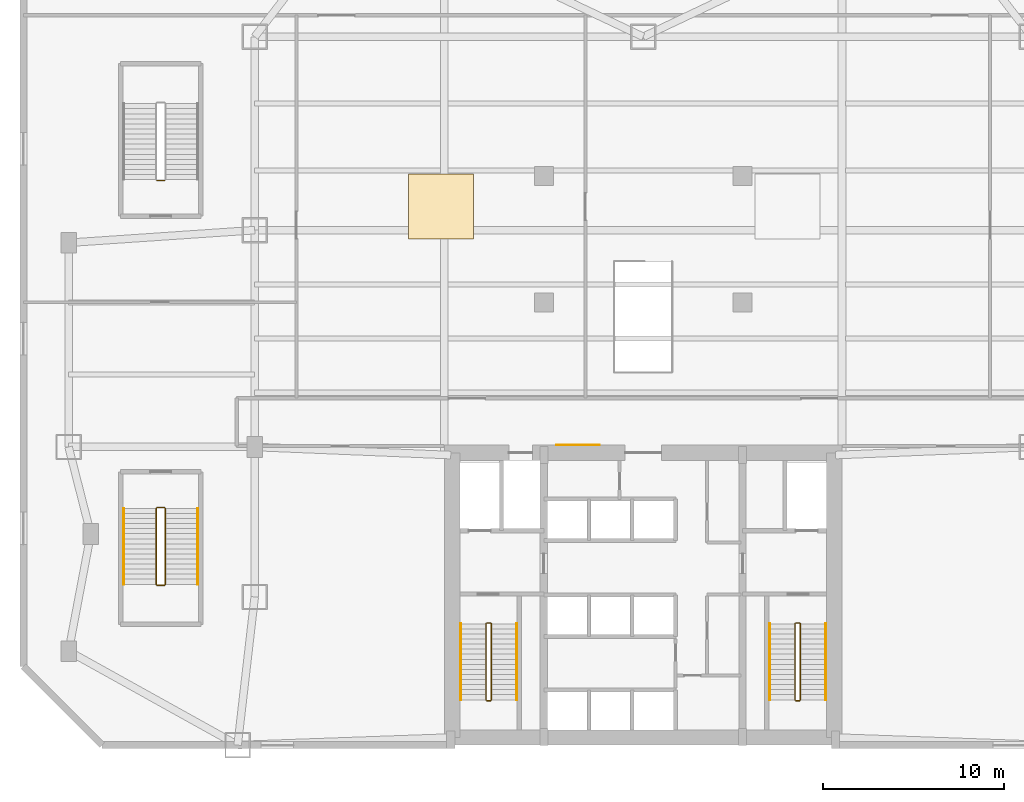
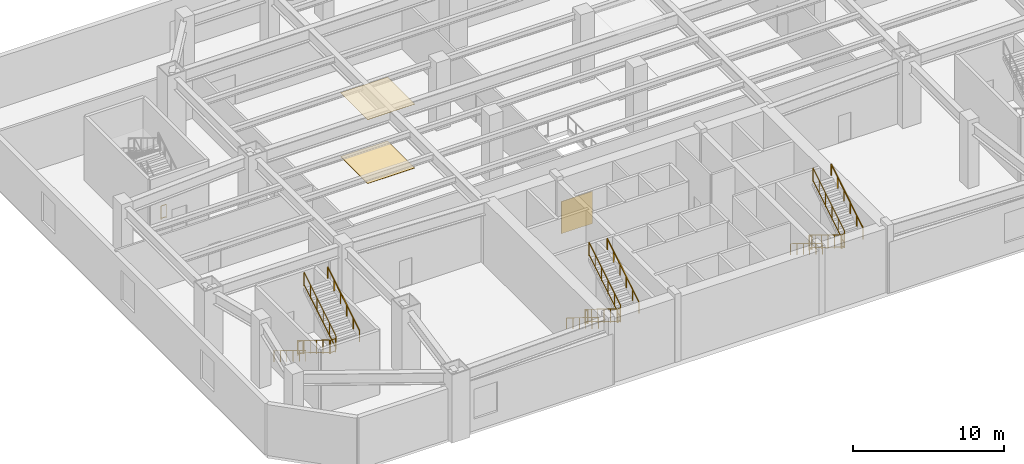
# One storey, part 8 of 10: 19 railings, 3 coverings.
"""IFC4 building model written with IfcOpenShell, lengths in metres."""

from ifc_helpers import new_model, si_unit, direction, frame, origin, origin_2d, place, context, subcontext, project, spatial, rectangle, extrude, source, transform, mapped, material, layer, layer_set, type_object, type_shapes, element, save


model = new_model("IFC4")

# Units and contexts
model_context = context("Model", 3, precision=1e-05, world=origin(), true_north=direction((0.0, 1.0)))
body_context = subcontext(model_context, "Body", "Model", "MODEL_VIEW")
ifc_project = project(units=[si_unit("LENGTHUNIT", "METRE"), si_unit("AREAUNIT", "SQUARE_METRE"), si_unit("VOLUMEUNIT", "CUBIC_METRE"), si_unit("PLANEANGLEUNIT", "RADIAN"), si_unit("MASSUNIT", "GRAM", prefix="KILO")], contexts=[model_context])

# Site, building, storey
site_placement = place(None, origin())
site = spatial("IfcSite", under=ifc_project, at=site_placement, CompositionType="ELEMENT")
building_placement = place(site_placement, origin())
building = spatial("IfcBuilding", under=site, at=building_placement, Name="Varnakhor Terracotta Tower", CompositionType="ELEMENT")
storey_placement = place(building_placement, frame((0.0, 0.0, 5.5)))
storey = spatial("IfcBuildingStorey", under=building, at=storey_placement, Name="L01", CompositionType="ELEMENT", Elevation=5.5)

# Railings
ifc_material_1 = material(Name="Painted Steel Stairwell Guardrail", Category="steel")
railing_type_1 = type_object("IfcRailingType", Name="RLG-STAIR-GUARD-1120", PredefinedType="GUARDRAIL", material=ifc_material_1)
railing_1_placement = place(storey_placement, frame((-8.699951171875, 6.7099609375, 0.171875)))
element("IfcRailing", 1, at=railing_1_placement, inside=storey, type_object=railing_type_1, Name="L01 ST-1 stair guard 1", PredefinedType="GUARDRAIL", context=body_context, shape_type="SweptSolid", body=[
    extrude(rectangle(XDim=0.048095703125, YDim=0.048095703125, at=origin_2d()), frame((0.0, 0.0, 1.09619140625), z_axis=(0.0, -0.852242915053, 0.523146264196), x_axis=(1.0, 0.0, 0.0)), (0.0, 0.0, 1.0), 4.92822265625),
    extrude(rectangle(XDim=0.048095703125, YDim=0.048095703125, at=origin_2d()), frame((0.0, 0.0, 0.10009765625), z_axis=(0.0, -0.852242915053, 0.523146264196), x_axis=(1.0, 0.0, 0.0)), (0.0, 0.0, 1.0), 4.92822265625),
    extrude(rectangle(XDim=0.0419921875, YDim=0.0419921875, at=origin_2d()), origin(), (0.0, 0.0, 1.0), 1.072021484375),
    extrude(rectangle(XDim=0.0419921875, YDim=0.0419921875, at=origin_2d()), frame((0.0, -0.840087890625, 0.515625)), (0.0, 0.0, 1.0), 1.072021484375),
    extrude(rectangle(XDim=0.0419921875, YDim=0.0419921875, at=origin_2d()), frame((0.0, -1.679931640625, 1.03125)), (0.0, 0.0, 1.0), 1.072021484375),
    extrude(rectangle(XDim=0.0419921875, YDim=0.0419921875, at=origin_2d()), frame((0.0, -2.52001953125, 1.546875)), (0.0, 0.0, 1.0), 1.072021484375),
    extrude(rectangle(XDim=0.0419921875, YDim=0.0419921875, at=origin_2d()), frame((0.0, -3.35986328125, 2.0625)), (0.0, 0.0, 1.0), 1.072021484375),
    extrude(rectangle(XDim=0.0419921875, YDim=0.0419921875, at=origin_2d()), frame((0.0, -4.199951171875, 2.578125)), (0.0, 0.0, 1.0), 1.072021484375),
])
railing_2_placement = place(storey_placement, frame((-8.64990234375, 2.4599609375, 2.75)))
element("IfcRailing", 2, at=railing_2_placement, inside=storey, type_object=railing_type_1, Name="L01 ST-1 stair guard 2", PredefinedType="GUARDRAIL", context=body_context, shape_type="SweptSolid", body=[
    extrude(rectangle(XDim=0.048095703125, YDim=0.048095703125, at=origin_2d()), frame((0.0, 0.0, 1.09619140625), z_axis=(1.0, 0.0, 0.0), x_axis=(0.0, 1.0, 0.0)), (0.0, 0.0, 1.0), 0.199951171875),
    extrude(rectangle(XDim=0.048095703125, YDim=0.048095703125, at=origin_2d()), frame((0.0, 0.0, 0.10009765625), z_axis=(1.0, 0.0, 0.0), x_axis=(0.0, 1.0, 0.0)), (0.0, 0.0, 1.0), 0.199951171875),
    extrude(rectangle(XDim=0.0419921875, YDim=0.0419921875, at=origin_2d()), origin(), (0.0, 0.0, 1.0), 1.072021484375),
    extrude(rectangle(XDim=0.0419921875, YDim=0.0419921875, at=origin_2d()), frame((0.199951171875, 0.0, 0.0)), (0.0, 0.0, 1.0), 1.072021484375),
])
railing_3_placement = place(storey_placement, frame((-8.39990234375, 2.510009765625, 2.921875)))
element("IfcRailing", 3, at=railing_3_placement, inside=storey, type_object=railing_type_1, Name="L01 ST-1 stair guard 3", PredefinedType="GUARDRAIL", context=body_context, shape_type="SweptSolid", body=[
    extrude(rectangle(XDim=0.048095703125, YDim=0.048095703125, at=origin_2d()), frame((0.0, 0.0, 1.09619140625), z_axis=(0.0, 0.852242915053, 0.523146264196), x_axis=(-1.0, 0.0, 0.0)), (0.0, 0.0, 1.0), 4.92822265625),
    extrude(rectangle(XDim=0.048095703125, YDim=0.048095703125, at=origin_2d()), frame((0.0, 0.0, 0.10009765625), z_axis=(0.0, 0.852242915053, 0.523146264196), x_axis=(-1.0, 0.0, 0.0)), (0.0, 0.0, 1.0), 4.92822265625),
    extrude(rectangle(XDim=0.0419921875, YDim=0.0419921875, at=origin_2d()), origin(), (0.0, 0.0, 1.0), 1.072021484375),
    extrude(rectangle(XDim=0.0419921875, YDim=0.0419921875, at=origin_2d()), frame((0.0, 0.840087890625, 0.515625)), (0.0, 0.0, 1.0), 1.072021484375),
    extrude(rectangle(XDim=0.0419921875, YDim=0.0419921875, at=origin_2d()), frame((0.0, 1.679931640625, 1.03125)), (0.0, 0.0, 1.0), 1.072021484375),
    extrude(rectangle(XDim=0.0419921875, YDim=0.0419921875, at=origin_2d()), frame((0.0, 2.52001953125, 1.546875)), (0.0, 0.0, 1.0), 1.072021484375),
    extrude(rectangle(XDim=0.0419921875, YDim=0.0419921875, at=origin_2d()), frame((0.0, 3.35986328125, 2.0625)), (0.0, 0.0, 1.0), 1.072021484375),
    extrude(rectangle(XDim=0.0419921875, YDim=0.0419921875, at=origin_2d()), frame((0.0, 4.199951171875, 2.578125)), (0.0, 0.0, 1.0), 1.072021484375),
])
railing_4_placement = place(storey_placement, frame((-8.64990234375, 6.760009765625, 0.0)))
element("IfcRailing", 4, at=railing_4_placement, inside=storey, type_object=railing_type_1, Name="L01 ST-1 stair guard 4", PredefinedType="GUARDRAIL", context=body_context, shape_type="SweptSolid", body=[
    extrude(rectangle(XDim=0.048095703125, YDim=0.048095703125, at=origin_2d()), frame((0.0, 0.0, 1.09619140625), z_axis=(1.0, 0.0, 0.0), x_axis=(0.0, 1.0, 0.0)), (0.0, 0.0, 1.0), 0.199951171875),
    extrude(rectangle(XDim=0.048095703125, YDim=0.048095703125, at=origin_2d()), frame((0.0, 0.0, 0.10009765625), z_axis=(1.0, 0.0, 0.0), x_axis=(0.0, 1.0, 0.0)), (0.0, 0.0, 1.0), 0.199951171875),
    extrude(rectangle(XDim=0.0419921875, YDim=0.0419921875, at=origin_2d()), origin(), (0.0, 0.0, 1.0), 1.072021484375),
    extrude(rectangle(XDim=0.0419921875, YDim=0.0419921875, at=origin_2d()), frame((0.199951171875, 0.0, 0.0)), (0.0, 0.0, 1.0), 1.072021484375),
])
railing_5_placement = place(storey_placement, frame((8.39990234375, 6.7099609375, 0.171875)))
element("IfcRailing", 5, at=railing_5_placement, inside=storey, type_object=railing_type_1, Name="L01 ST-2 stair guard 1", PredefinedType="GUARDRAIL", context=body_context, shape_type="SweptSolid", body=[
    extrude(rectangle(XDim=0.048095703125, YDim=0.048095703125, at=origin_2d()), frame((0.0, 0.0, 1.09619140625), z_axis=(0.0, -0.852242915053, 0.523146264196), x_axis=(1.0, 0.0, 0.0)), (0.0, 0.0, 1.0), 4.92822265625),
    extrude(rectangle(XDim=0.048095703125, YDim=0.048095703125, at=origin_2d()), frame((0.0, 0.0, 0.10009765625), z_axis=(0.0, -0.852242915053, 0.523146264196), x_axis=(1.0, 0.0, 0.0)), (0.0, 0.0, 1.0), 4.92822265625),
    extrude(rectangle(XDim=0.0419921875, YDim=0.0419921875, at=origin_2d()), origin(), (0.0, 0.0, 1.0), 1.072021484375),
    extrude(rectangle(XDim=0.0419921875, YDim=0.0419921875, at=origin_2d()), frame((0.0, -0.840087890625, 0.515625)), (0.0, 0.0, 1.0), 1.072021484375),
    extrude(rectangle(XDim=0.0419921875, YDim=0.0419921875, at=origin_2d()), frame((0.0, -1.679931640625, 1.03125)), (0.0, 0.0, 1.0), 1.072021484375),
    extrude(rectangle(XDim=0.0419921875, YDim=0.0419921875, at=origin_2d()), frame((0.0, -2.52001953125, 1.546875)), (0.0, 0.0, 1.0), 1.072021484375),
    extrude(rectangle(XDim=0.0419921875, YDim=0.0419921875, at=origin_2d()), frame((0.0, -3.35986328125, 2.0625)), (0.0, 0.0, 1.0), 1.072021484375),
    extrude(rectangle(XDim=0.0419921875, YDim=0.0419921875, at=origin_2d()), frame((0.0, -4.199951171875, 2.578125)), (0.0, 0.0, 1.0), 1.072021484375),
])
railing_6_placement = place(storey_placement, frame((8.449951171875, 2.4599609375, 2.75)))
element("IfcRailing", 6, at=railing_6_placement, inside=storey, type_object=railing_type_1, Name="L01 ST-2 stair guard 2", PredefinedType="GUARDRAIL", context=body_context, shape_type="SweptSolid", body=[
    extrude(rectangle(XDim=0.048095703125, YDim=0.048095703125, at=origin_2d()), frame((0.0, 0.0, 1.09619140625), z_axis=(1.0, 0.0, 0.0), x_axis=(0.0, 1.0, 0.0)), (0.0, 0.0, 1.0), 0.199951171875),
    extrude(rectangle(XDim=0.048095703125, YDim=0.048095703125, at=origin_2d()), frame((0.0, 0.0, 0.10009765625), z_axis=(1.0, 0.0, 0.0), x_axis=(0.0, 1.0, 0.0)), (0.0, 0.0, 1.0), 0.199951171875),
    extrude(rectangle(XDim=0.0419921875, YDim=0.0419921875, at=origin_2d()), origin(), (0.0, 0.0, 1.0), 1.072021484375),
    extrude(rectangle(XDim=0.0419921875, YDim=0.0419921875, at=origin_2d()), frame((0.199951171875, 0.0, 0.0)), (0.0, 0.0, 1.0), 1.072021484375),
])
railing_7_placement = place(storey_placement, frame((8.699951171875, 2.510009765625, 2.921875)))
element("IfcRailing", 7, at=railing_7_placement, inside=storey, type_object=railing_type_1, Name="L01 ST-2 stair guard 3", PredefinedType="GUARDRAIL", context=body_context, shape_type="SweptSolid", body=[
    extrude(rectangle(XDim=0.048095703125, YDim=0.048095703125, at=origin_2d()), frame((0.0, 0.0, 1.09619140625), z_axis=(0.0, 0.852242915053, 0.523146264196), x_axis=(-1.0, 0.0, 0.0)), (0.0, 0.0, 1.0), 4.92822265625),
    extrude(rectangle(XDim=0.048095703125, YDim=0.048095703125, at=origin_2d()), frame((0.0, 0.0, 0.10009765625), z_axis=(0.0, 0.852242915053, 0.523146264196), x_axis=(-1.0, 0.0, 0.0)), (0.0, 0.0, 1.0), 4.92822265625),
    extrude(rectangle(XDim=0.0419921875, YDim=0.0419921875, at=origin_2d()), origin(), (0.0, 0.0, 1.0), 1.072021484375),
    extrude(rectangle(XDim=0.0419921875, YDim=0.0419921875, at=origin_2d()), frame((0.0, 0.840087890625, 0.515625)), (0.0, 0.0, 1.0), 1.072021484375),
    extrude(rectangle(XDim=0.0419921875, YDim=0.0419921875, at=origin_2d()), frame((0.0, 1.679931640625, 1.03125)), (0.0, 0.0, 1.0), 1.072021484375),
    extrude(rectangle(XDim=0.0419921875, YDim=0.0419921875, at=origin_2d()), frame((0.0, 2.52001953125, 1.546875)), (0.0, 0.0, 1.0), 1.072021484375),
    extrude(rectangle(XDim=0.0419921875, YDim=0.0419921875, at=origin_2d()), frame((0.0, 3.35986328125, 2.0625)), (0.0, 0.0, 1.0), 1.072021484375),
    extrude(rectangle(XDim=0.0419921875, YDim=0.0419921875, at=origin_2d()), frame((0.0, 4.199951171875, 2.578125)), (0.0, 0.0, 1.0), 1.072021484375),
])
railing_8_placement = place(storey_placement, frame((8.449951171875, 6.760009765625, 0.0)))
element("IfcRailing", 8, at=railing_8_placement, inside=storey, type_object=railing_type_1, Name="L01 ST-2 stair guard 4", PredefinedType="GUARDRAIL", context=body_context, shape_type="SweptSolid", body=[
    extrude(rectangle(XDim=0.048095703125, YDim=0.048095703125, at=origin_2d()), frame((0.0, 0.0, 1.09619140625), z_axis=(1.0, 0.0, 0.0), x_axis=(0.0, 1.0, 0.0)), (0.0, 0.0, 1.0), 0.199951171875),
    extrude(rectangle(XDim=0.048095703125, YDim=0.048095703125, at=origin_2d()), frame((0.0, 0.0, 0.10009765625), z_axis=(1.0, 0.0, 0.0), x_axis=(0.0, 1.0, 0.0)), (0.0, 0.0, 1.0), 0.199951171875),
    extrude(rectangle(XDim=0.0419921875, YDim=0.0419921875, at=origin_2d()), origin(), (0.0, 0.0, 1.0), 1.072021484375),
    extrude(rectangle(XDim=0.0419921875, YDim=0.0419921875, at=origin_2d()), frame((0.199951171875, 0.0, 0.0)), (0.0, 0.0, 1.0), 1.072021484375),
])
railing_9_placement = place(storey_placement, frame((-26.949951171875, 13.10009765625, 0.171875)))
element("IfcRailing", 9, at=railing_9_placement, inside=storey, type_object=railing_type_1, Name="L01 ST-P1 stair guard 1", PredefinedType="GUARDRAIL", context=body_context, shape_type="SweptSolid", body=[
    extrude(rectangle(XDim=0.048095703125, YDim=0.048095703125, at=origin_2d()), frame((0.0, 0.0, 1.09619140625), z_axis=(0.0, -0.852256472501, 0.523124177495), x_axis=(1.0, 0.0, 0.0)), (0.0, 0.0, 1.0), 4.92822265625),
    extrude(rectangle(XDim=0.048095703125, YDim=0.048095703125, at=origin_2d()), frame((0.0, 0.0, 0.10009765625), z_axis=(0.0, -0.852256472501, 0.523124177495), x_axis=(1.0, 0.0, 0.0)), (0.0, 0.0, 1.0), 4.92822265625),
    extrude(rectangle(XDim=0.0419921875, YDim=0.0419921875, at=origin_2d()), origin(), (0.0, 0.0, 1.0), 1.072021484375),
    extrude(rectangle(XDim=0.0419921875, YDim=0.0419921875, at=origin_2d()), frame((0.0, -0.840087890625, 0.515625)), (0.0, 0.0, 1.0), 1.072021484375),
    extrude(rectangle(XDim=0.0419921875, YDim=0.0419921875, at=origin_2d()), frame((0.0, -1.68017578125, 1.03125)), (0.0, 0.0, 1.0), 1.072021484375),
    extrude(rectangle(XDim=0.0419921875, YDim=0.0419921875, at=origin_2d()), frame((0.0, -2.52001953125, 1.546875)), (0.0, 0.0, 1.0), 1.072021484375),
    extrude(rectangle(XDim=0.0419921875, YDim=0.0419921875, at=origin_2d()), frame((0.0, -3.360107421875, 2.0625)), (0.0, 0.0, 1.0), 1.072021484375),
    extrude(rectangle(XDim=0.0419921875, YDim=0.0419921875, at=origin_2d()), frame((0.0, -4.2001953125, 2.578125)), (0.0, 0.0, 1.0), 1.072021484375),
])
railing_10_placement = place(storey_placement, frame((-26.89990234375, 8.85009765625, 2.75)))
element("IfcRailing", 10, at=railing_10_placement, inside=storey, type_object=railing_type_1, Name="L01 ST-P1 stair guard 2", PredefinedType="GUARDRAIL", context=body_context, shape_type="SweptSolid", body=[
    extrude(rectangle(XDim=0.048095703125, YDim=0.048095703125, at=origin_2d()), frame((0.0, 0.0, 1.09619140625), z_axis=(1.0, 0.0, 0.0), x_axis=(0.0, 1.0, 0.0)), (0.0, 0.0, 1.0), 0.39990234375),
    extrude(rectangle(XDim=0.048095703125, YDim=0.048095703125, at=origin_2d()), frame((0.0, 0.0, 0.10009765625), z_axis=(1.0, 0.0, 0.0), x_axis=(0.0, 1.0, 0.0)), (0.0, 0.0, 1.0), 0.39990234375),
    extrude(rectangle(XDim=0.0419921875, YDim=0.0419921875, at=origin_2d()), origin(), (0.0, 0.0, 1.0), 1.072021484375),
    extrude(rectangle(XDim=0.0419921875, YDim=0.0419921875, at=origin_2d()), frame((0.39990234375, 0.0, 0.0)), (0.0, 0.0, 1.0), 1.072021484375),
])
railing_11_placement = place(storey_placement, frame((-26.449951171875, 8.89990234375, 2.921875)))
element("IfcRailing", 11, at=railing_11_placement, inside=storey, type_object=railing_type_1, Name="L01 ST-P1 stair guard 3", PredefinedType="GUARDRAIL", context=body_context, shape_type="SweptSolid", body=[
    extrude(rectangle(XDim=0.048095703125, YDim=0.048095703125, at=origin_2d()), frame((0.0, 0.0, 1.09619140625), z_axis=(0.0, 0.852256472501, 0.523124177495), x_axis=(-1.0, 0.0, 0.0)), (0.0, 0.0, 1.0), 4.92822265625),
    extrude(rectangle(XDim=0.048095703125, YDim=0.048095703125, at=origin_2d()), frame((0.0, 0.0, 0.10009765625), z_axis=(0.0, 0.852256472501, 0.523124177495), x_axis=(-1.0, 0.0, 0.0)), (0.0, 0.0, 1.0), 4.92822265625),
    extrude(rectangle(XDim=0.0419921875, YDim=0.0419921875, at=origin_2d()), origin(), (0.0, 0.0, 1.0), 1.072021484375),
    extrude(rectangle(XDim=0.0419921875, YDim=0.0419921875, at=origin_2d()), frame((0.0, 0.840087890625, 0.515625)), (0.0, 0.0, 1.0), 1.072021484375),
    extrude(rectangle(XDim=0.0419921875, YDim=0.0419921875, at=origin_2d()), frame((0.0, 1.68017578125, 1.03125)), (0.0, 0.0, 1.0), 1.072021484375),
    extrude(rectangle(XDim=0.0419921875, YDim=0.0419921875, at=origin_2d()), frame((0.0, 2.52001953125, 1.546875)), (0.0, 0.0, 1.0), 1.072021484375),
    extrude(rectangle(XDim=0.0419921875, YDim=0.0419921875, at=origin_2d()), frame((0.0, 3.360107421875, 2.0625)), (0.0, 0.0, 1.0), 1.072021484375),
    extrude(rectangle(XDim=0.0419921875, YDim=0.0419921875, at=origin_2d()), frame((0.0, 4.2001953125, 2.578125)), (0.0, 0.0, 1.0), 1.072021484375),
])
railing_12_placement = place(storey_placement, frame((-26.89990234375, 13.14990234375, 0.0)))
element("IfcRailing", 12, at=railing_12_placement, inside=storey, type_object=railing_type_1, Name="L01 ST-P1 stair guard 4", PredefinedType="GUARDRAIL", context=body_context, shape_type="SweptSolid", body=[
    extrude(rectangle(XDim=0.048095703125, YDim=0.048095703125, at=origin_2d()), frame((0.0, 0.0, 1.09619140625), z_axis=(1.0, 0.0, 0.0), x_axis=(0.0, 1.0, 0.0)), (0.0, 0.0, 1.0), 0.39990234375),
    extrude(rectangle(XDim=0.048095703125, YDim=0.048095703125, at=origin_2d()), frame((0.0, 0.0, 0.10009765625), z_axis=(1.0, 0.0, 0.0), x_axis=(0.0, 1.0, 0.0)), (0.0, 0.0, 1.0), 0.39990234375),
    extrude(rectangle(XDim=0.0419921875, YDim=0.0419921875, at=origin_2d()), origin(), (0.0, 0.0, 1.0), 1.072021484375),
    extrude(rectangle(XDim=0.0419921875, YDim=0.0419921875, at=origin_2d()), frame((0.39990234375, 0.0, 0.0)), (0.0, 0.0, 1.0), 1.072021484375),
])
railing_13_placement = place(storey_placement, frame((-26.5, 31.25, 0.0)))
element("IfcRailing", 13, at=railing_13_placement, inside=storey, type_object=railing_type_1, Name="L01 ST-P3 stair guard 4", PredefinedType="GUARDRAIL", context=body_context, shape_type="SweptSolid", body=[
    extrude(rectangle(XDim=0.048095703125, YDim=0.048095703125, at=origin_2d()), frame((0.0, 0.0, 1.09619140625), z_axis=(-1.0, 0.0, 0.0), x_axis=(0.0, -1.0, 0.0)), (0.0, 0.0, 1.0), 0.39990234375),
    extrude(rectangle(XDim=0.048095703125, YDim=0.048095703125, at=origin_2d()), frame((0.0, 0.0, 0.10009765625), z_axis=(-1.0, 0.0, 0.0), x_axis=(0.0, -1.0, 0.0)), (0.0, 0.0, 1.0), 0.39990234375),
    extrude(rectangle(XDim=0.0419921875, YDim=0.0419921875, at=origin_2d()), origin(), (0.0, 0.0, 1.0), 1.072021484375),
    extrude(rectangle(XDim=0.0419921875, YDim=0.0419921875, at=origin_2d()), frame((-0.39990234375, 0.0, 0.0)), (0.0, 0.0, 1.0), 1.072021484375),
])
ifc_material_2 = material(Name="Brushed Stainless Steel Handrail", Category="steel")
railing_type_2 = type_object("IfcRailingType", Name="RLG-STAIR-HANDRAIL-920", PredefinedType="HANDRAIL", material=ifc_material_2)
railing_14_placement = place(storey_placement, frame((-10.10009765625, 6.7099609375, 0.171875)))
element("IfcRailing", 14, at=railing_14_placement, inside=storey, type_object=railing_type_2, Name="L01 ST-1 stair handrail 1", PredefinedType="HANDRAIL", context=body_context, shape_type="SweptSolid", body=[
    extrude(rectangle(XDim=0.048095703125, YDim=0.048095703125, at=origin_2d()), frame((0.0, 0.0, 0.89599609375), z_axis=(0.0, -0.852242915053, 0.523146264196), x_axis=(1.0, 0.0, 0.0)), (0.0, 0.0, 1.0), 4.92822265625),
    extrude(rectangle(XDim=0.0419921875, YDim=0.0419921875, at=origin_2d()), origin(), (0.0, 0.0, 1.0), 0.871826171875),
    extrude(rectangle(XDim=0.0419921875, YDim=0.0419921875, at=origin_2d()), frame((0.0, -0.840087890625, 0.515625)), (0.0, 0.0, 1.0), 0.871826171875),
    extrude(rectangle(XDim=0.0419921875, YDim=0.0419921875, at=origin_2d()), frame((0.0, -1.679931640625, 1.03125)), (0.0, 0.0, 1.0), 0.871826171875),
    extrude(rectangle(XDim=0.0419921875, YDim=0.0419921875, at=origin_2d()), frame((0.0, -2.52001953125, 1.546875)), (0.0, 0.0, 1.0), 0.871826171875),
    extrude(rectangle(XDim=0.0419921875, YDim=0.0419921875, at=origin_2d()), frame((0.0, -3.35986328125, 2.0625)), (0.0, 0.0, 1.0), 0.871826171875),
    extrude(rectangle(XDim=0.0419921875, YDim=0.0419921875, at=origin_2d()), frame((0.0, -4.199951171875, 2.578125)), (0.0, 0.0, 1.0), 0.871826171875),
])
railing_15_placement = place(storey_placement, frame((-7.0, 2.510009765625, 2.921875)))
element("IfcRailing", 15, at=railing_15_placement, inside=storey, type_object=railing_type_2, Name="L01 ST-1 stair handrail 2", PredefinedType="HANDRAIL", context=body_context, shape_type="SweptSolid", body=[
    extrude(rectangle(XDim=0.048095703125, YDim=0.048095703125, at=origin_2d()), frame((0.0, 0.0, 0.89599609375), z_axis=(0.0, 0.852242915053, 0.523146264196), x_axis=(-1.0, 0.0, 0.0)), (0.0, 0.0, 1.0), 4.92822265625),
    extrude(rectangle(XDim=0.0419921875, YDim=0.0419921875, at=origin_2d()), origin(), (0.0, 0.0, 1.0), 0.871826171875),
    extrude(rectangle(XDim=0.0419921875, YDim=0.0419921875, at=origin_2d()), frame((0.0, 0.840087890625, 0.515625)), (0.0, 0.0, 1.0), 0.871826171875),
    extrude(rectangle(XDim=0.0419921875, YDim=0.0419921875, at=origin_2d()), frame((0.0, 1.679931640625, 1.03125)), (0.0, 0.0, 1.0), 0.871826171875),
    extrude(rectangle(XDim=0.0419921875, YDim=0.0419921875, at=origin_2d()), frame((0.0, 2.52001953125, 1.546875)), (0.0, 0.0, 1.0), 0.871826171875),
    extrude(rectangle(XDim=0.0419921875, YDim=0.0419921875, at=origin_2d()), frame((0.0, 3.35986328125, 2.0625)), (0.0, 0.0, 1.0), 0.871826171875),
    extrude(rectangle(XDim=0.0419921875, YDim=0.0419921875, at=origin_2d()), frame((0.0, 4.199951171875, 2.578125)), (0.0, 0.0, 1.0), 0.871826171875),
])
railing_16_placement = place(storey_placement, frame((7.0, 6.7099609375, 0.171875)))
element("IfcRailing", 16, at=railing_16_placement, inside=storey, type_object=railing_type_2, Name="L01 ST-2 stair handrail 1", PredefinedType="HANDRAIL", context=body_context, shape_type="SweptSolid", body=[
    extrude(rectangle(XDim=0.048095703125, YDim=0.048095703125, at=origin_2d()), frame((0.0, 0.0, 0.89599609375), z_axis=(0.0, -0.852242915053, 0.523146264196), x_axis=(1.0, 0.0, 0.0)), (0.0, 0.0, 1.0), 4.92822265625),
    extrude(rectangle(XDim=0.0419921875, YDim=0.0419921875, at=origin_2d()), origin(), (0.0, 0.0, 1.0), 0.871826171875),
    extrude(rectangle(XDim=0.0419921875, YDim=0.0419921875, at=origin_2d()), frame((0.0, -0.840087890625, 0.515625)), (0.0, 0.0, 1.0), 0.871826171875),
    extrude(rectangle(XDim=0.0419921875, YDim=0.0419921875, at=origin_2d()), frame((0.0, -1.679931640625, 1.03125)), (0.0, 0.0, 1.0), 0.871826171875),
    extrude(rectangle(XDim=0.0419921875, YDim=0.0419921875, at=origin_2d()), frame((0.0, -2.52001953125, 1.546875)), (0.0, 0.0, 1.0), 0.871826171875),
    extrude(rectangle(XDim=0.0419921875, YDim=0.0419921875, at=origin_2d()), frame((0.0, -3.35986328125, 2.0625)), (0.0, 0.0, 1.0), 0.871826171875),
    extrude(rectangle(XDim=0.0419921875, YDim=0.0419921875, at=origin_2d()), frame((0.0, -4.199951171875, 2.578125)), (0.0, 0.0, 1.0), 0.871826171875),
])
railing_17_placement = place(storey_placement, frame((10.10009765625, 2.510009765625, 2.921875)))
element("IfcRailing", 17, at=railing_17_placement, inside=storey, type_object=railing_type_2, Name="L01 ST-2 stair handrail 2", PredefinedType="HANDRAIL", context=body_context, shape_type="SweptSolid", body=[
    extrude(rectangle(XDim=0.048095703125, YDim=0.048095703125, at=origin_2d()), frame((0.0, 0.0, 0.89599609375), z_axis=(0.0, 0.852242915053, 0.523146264196), x_axis=(-1.0, 0.0, 0.0)), (0.0, 0.0, 1.0), 4.92822265625),
    extrude(rectangle(XDim=0.0419921875, YDim=0.0419921875, at=origin_2d()), origin(), (0.0, 0.0, 1.0), 0.871826171875),
    extrude(rectangle(XDim=0.0419921875, YDim=0.0419921875, at=origin_2d()), frame((0.0, 0.840087890625, 0.515625)), (0.0, 0.0, 1.0), 0.871826171875),
    extrude(rectangle(XDim=0.0419921875, YDim=0.0419921875, at=origin_2d()), frame((0.0, 1.679931640625, 1.03125)), (0.0, 0.0, 1.0), 0.871826171875),
    extrude(rectangle(XDim=0.0419921875, YDim=0.0419921875, at=origin_2d()), frame((0.0, 2.52001953125, 1.546875)), (0.0, 0.0, 1.0), 0.871826171875),
    extrude(rectangle(XDim=0.0419921875, YDim=0.0419921875, at=origin_2d()), frame((0.0, 3.35986328125, 2.0625)), (0.0, 0.0, 1.0), 0.871826171875),
    extrude(rectangle(XDim=0.0419921875, YDim=0.0419921875, at=origin_2d()), frame((0.0, 4.199951171875, 2.578125)), (0.0, 0.0, 1.0), 0.871826171875),
])
railing_18_placement = place(storey_placement, frame((-28.75, 13.10009765625, 0.171875)))
element("IfcRailing", 18, at=railing_18_placement, inside=storey, type_object=railing_type_2, Name="L01 ST-P1 stair handrail 1", PredefinedType="HANDRAIL", context=body_context, shape_type="SweptSolid", body=[
    extrude(rectangle(XDim=0.048095703125, YDim=0.048095703125, at=origin_2d()), frame((0.0, 0.0, 0.89599609375), z_axis=(0.0, -0.852256472501, 0.523124177495), x_axis=(1.0, 0.0, 0.0)), (0.0, 0.0, 1.0), 4.92822265625),
    extrude(rectangle(XDim=0.0419921875, YDim=0.0419921875, at=origin_2d()), origin(), (0.0, 0.0, 1.0), 0.871826171875),
    extrude(rectangle(XDim=0.0419921875, YDim=0.0419921875, at=origin_2d()), frame((0.0, -0.840087890625, 0.515625)), (0.0, 0.0, 1.0), 0.871826171875),
    extrude(rectangle(XDim=0.0419921875, YDim=0.0419921875, at=origin_2d()), frame((0.0, -1.68017578125, 1.03125)), (0.0, 0.0, 1.0), 0.871826171875),
    extrude(rectangle(XDim=0.0419921875, YDim=0.0419921875, at=origin_2d()), frame((0.0, -2.52001953125, 1.546875)), (0.0, 0.0, 1.0), 0.871826171875),
    extrude(rectangle(XDim=0.0419921875, YDim=0.0419921875, at=origin_2d()), frame((0.0, -3.360107421875, 2.0625)), (0.0, 0.0, 1.0), 0.871826171875),
    extrude(rectangle(XDim=0.0419921875, YDim=0.0419921875, at=origin_2d()), frame((0.0, -4.2001953125, 2.578125)), (0.0, 0.0, 1.0), 0.871826171875),
])
railing_19_placement = place(storey_placement, frame((-24.64990234375, 8.89990234375, 2.921875)))
element("IfcRailing", 19, at=railing_19_placement, inside=storey, type_object=railing_type_2, Name="L01 ST-P1 stair handrail 2", PredefinedType="HANDRAIL", context=body_context, shape_type="SweptSolid", body=[
    extrude(rectangle(XDim=0.048095703125, YDim=0.048095703125, at=origin_2d()), frame((0.0, 0.0, 0.89599609375), z_axis=(0.0, 0.852256472501, 0.523124177495), x_axis=(-1.0, 0.0, 0.0)), (0.0, 0.0, 1.0), 4.92822265625),
    extrude(rectangle(XDim=0.0419921875, YDim=0.0419921875, at=origin_2d()), origin(), (0.0, 0.0, 1.0), 0.871826171875),
    extrude(rectangle(XDim=0.0419921875, YDim=0.0419921875, at=origin_2d()), frame((0.0, 0.840087890625, 0.515625)), (0.0, 0.0, 1.0), 0.871826171875),
    extrude(rectangle(XDim=0.0419921875, YDim=0.0419921875, at=origin_2d()), frame((0.0, 1.68017578125, 1.03125)), (0.0, 0.0, 1.0), 0.871826171875),
    extrude(rectangle(XDim=0.0419921875, YDim=0.0419921875, at=origin_2d()), frame((0.0, 2.52001953125, 1.546875)), (0.0, 0.0, 1.0), 0.871826171875),
    extrude(rectangle(XDim=0.0419921875, YDim=0.0419921875, at=origin_2d()), frame((0.0, 3.360107421875, 2.0625)), (0.0, 0.0, 1.0), 0.871826171875),
    extrude(rectangle(XDim=0.0419921875, YDim=0.0419921875, at=origin_2d()), frame((0.0, 4.2001953125, 2.578125)), (0.0, 0.0, 1.0), 0.871826171875),
])

# Coverings
ifc_material_3 = material(Name="Extruded Architectural Terracotta Cladding", Category="masonry")
ifc_layer_1 = layer(ifc_material_3, 0.044921875, Name="Extruded Architectural Terracotta Cladding")
ifc_layer_set_1 = layer_set([ifc_layer_1], Name="Extruded Architectural Terracotta Cladding")
covering_type_1 = type_object("IfcCoveringType", Name="COV-CLAD-TERRACOTTA", PredefinedType="CLADDING", material=ifc_layer_set_1)
shared_shape_1 = source(origin(), body_context, "Body", "SweptSolid", [
    extrude(rectangle(XDim=2.39990234375, YDim=0.030029296875, at=origin_2d()), origin(), (0.0, 0.0, 1.0), 2.60009765625),
])
type_shapes(covering_type_1, [shared_shape_1])
covering_1_placement = place(storey_placement, frame((-3.60009765625, 16.612060546875, 0.0), z_axis=(0.0, 0.0, 1.0), x_axis=(1.0, 0.0, 0.0)))
element("IfcCovering", 20, at=covering_1_placement, inside=storey, type_object=covering_type_1, Name="L01 Core Lobby Limestone Cladding", PredefinedType="CLADDING", context=body_context, shape_type="MappedRepresentation", body=[
    mapped(shared_shape_1, transform((0.0, 0.0, 0.0), scale=1.0)),
])
ifc_material_4 = material(Name="Honed Riyadh Limestone Flooring", Category="masonry")
ifc_layer_2 = layer(ifc_material_4, 0.030029296875, Name="Honed Riyadh Limestone Flooring")
ifc_layer_set_2 = layer_set([ifc_layer_2], Name="Honed Riyadh Limestone Flooring")
covering_type_2 = type_object("IfcCoveringType", Name="COV-FLOOR-LIMESTONE", PredefinedType="FLOORING", material=ifc_layer_set_2)
shared_shape_2 = source(origin(), body_context, "Body", "SweptSolid", [
    extrude(rectangle(XDim=3.60009765625, YDim=3.60009765625, at=origin_2d()), origin(), (0.0, 0.0, 1.0), 0.02001953125),
])
covering_2_placement = place(storey_placement, frame((-11.197021484375, 29.800048828125, 0.0), z_axis=(0.0, 0.0, 1.0), x_axis=(1.0, 0.0, 0.0)))
element("IfcCovering", 21, at=covering_2_placement, inside=storey, type_object=covering_type_2, Name="L01 Honed Stone Flooring 1", PredefinedType="FLOORING", context=body_context, shape_type="MappedRepresentation", body=[
    mapped(shared_shape_2, transform((0.0, 0.0, 0.0), scale=1.0)),
])
ifc_material_5 = material(Name="Perforated Acoustic Mineral-Fibre Ceiling", Category="gypsum")
ifc_layer_3 = layer(ifc_material_5, 0.02490234375, Name="Perforated Acoustic Mineral-Fibre Ceiling")
ifc_layer_set_3 = layer_set([ifc_layer_3], Name="Perforated Acoustic Mineral-Fibre Ceiling")
covering_type_3 = type_object("IfcCoveringType", Name="COV-CEILING-ACOUSTIC", PredefinedType="CEILING", material=ifc_layer_set_3)
shared_shape_3 = source(origin(), body_context, "Body", "SweptSolid", [
    extrude(rectangle(XDim=3.60009765625, YDim=3.60009765625, at=origin_2d()), origin(), (0.0, 0.0, 1.0), 0.02392578125),
])
covering_3_placement = place(storey_placement, frame((-11.197021484375, 29.800048828125, 5.14599609375), z_axis=(0.0, 0.0, 1.0), x_axis=(1.0, 0.0, 0.0)))
element("IfcCovering", 22, at=covering_3_placement, inside=storey, type_object=covering_type_3, Name="L01 Acoustic Ceiling Panel 1", PredefinedType="CEILING", context=body_context, shape_type="MappedRepresentation", body=[
    mapped(shared_shape_3, transform((0.0, 0.0, 0.0), scale=1.0)),
])

save(model, "model.ifc")
